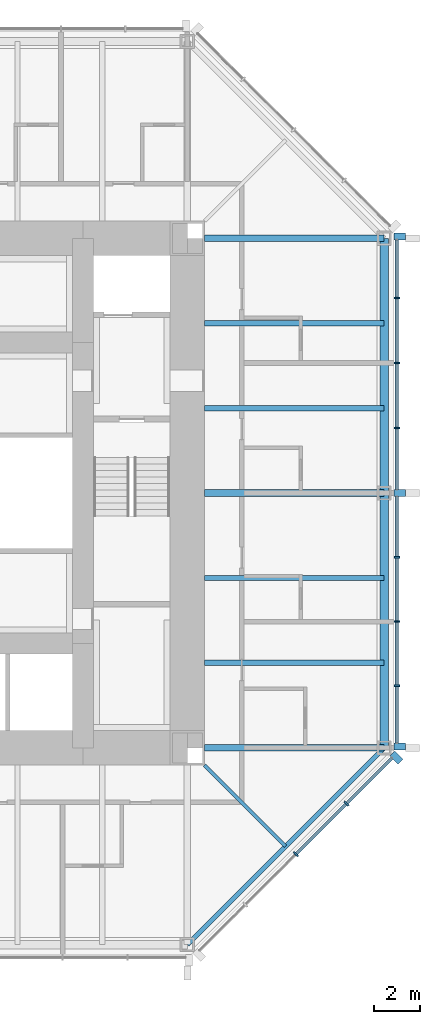
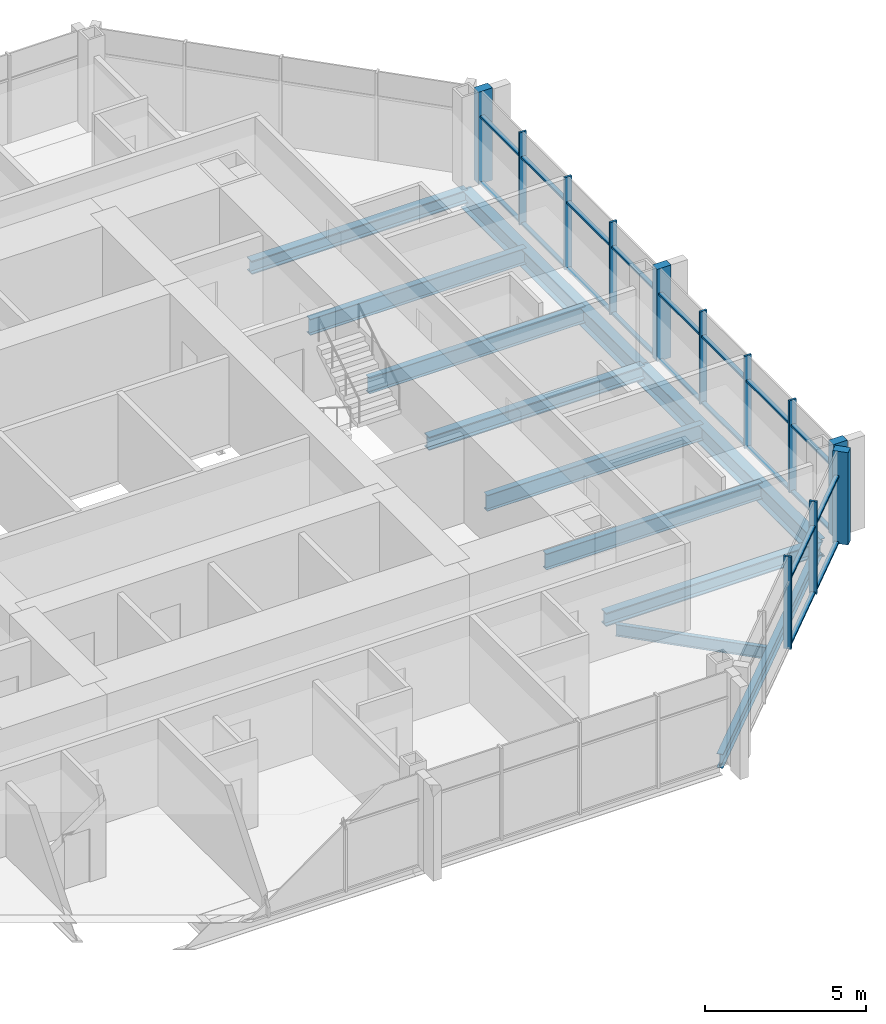
# One storey, part 4 of 12: 32 members, 11 beams, 2 elements without a shape of their own.
"""IFC4 building model written with IfcOpenShell, lengths in metres."""

from ifc_helpers import new_model, si_unit, direction, frame, origin, origin_2d, place, context, subcontext, project, spatial, rectangle, i_section, extrude, material, material_profile, profile_set, type_object, element, aggregate, save


model = new_model("IFC4")

# Units and contexts
model_context = context("Model", 3, precision=1e-05, world=origin(), true_north=direction((0.0, 1.0)))
body_context = subcontext(model_context, "Body", "Model", "MODEL_VIEW")
ifc_project = project(units=[si_unit("LENGTHUNIT", "METRE"), si_unit("AREAUNIT", "SQUARE_METRE"), si_unit("VOLUMEUNIT", "CUBIC_METRE"), si_unit("PLANEANGLEUNIT", "RADIAN"), si_unit("MASSUNIT", "GRAM", prefix="KILO")], contexts=[model_context])

# Site, building, storey
site_placement = place(None, origin())
site = spatial("IfcSite", under=ifc_project, at=site_placement, CompositionType="ELEMENT")
building_placement = place(site_placement, origin())
building = spatial("IfcBuilding", under=site, at=building_placement, Name="Trevanion Tower", CompositionType="ELEMENT")
storey_placement = place(building_placement, frame((0.0, 0.0, 197.699951171875)))
storey = spatial("IfcBuildingStorey", under=building, at=storey_placement, Name="L46", CompositionType="ELEMENT", Elevation=197.699951171875)

# Beams
ifc_material_1 = material(Name="Steel ASTM A992 Grade 50", Category="steel")
ifc_material_profile_1 = material_profile(ifc_material_1, i_section(OverallWidth=0.228271484375, OverallDepth=0.607177734375, WebThickness=0.01123046875, FlangeThickness=0.017333984375, at=origin_2d()), Name="W24X76")
ifc_profile_set_1 = profile_set([ifc_material_profile_1], Name="Steel ASTM A992 Grade 50")
beam_type_1 = type_object("IfcBeamType", Name="B11 W24X76", PredefinedType="BEAM", material=ifc_profile_set_1)
for number, where, z_axis, x_axis, name in (
    (1, (11.75, -7.333251953125, -0.493408203125), (1.0, 0.0, 0.0), (0.0, 1.0, 0.0), "B11 L46"),
    (2, (11.75, -3.666748046875, -0.493408203125), (1.0, 0.0, 0.0), (0.0, 1.0, 0.0), "B11 L46"),
    (3, (11.75, 3.666748046875, -0.493408203125), (1.0, 0.0, 0.0), (0.0, 1.0, 0.0), "B11 L46"),
    (4, (11.75, 7.333251953125, -0.493408203125), (1.0, 0.0, 0.0), (0.0, 1.0, 0.0), "B11 L46"),
):
    element("IfcBeam", number, at=place(storey_placement, frame(where, z_axis=z_axis, x_axis=x_axis)), inside=storey, type_object=beam_type_1, Name=name, PredefinedType="BEAM", context=body_context, shape_type="SweptSolid", body=[
        extrude(i_section(OverallWidth=0.228271484375, OverallDepth=0.607177734375, WebThickness=0.01123046875, FlangeThickness=0.017333984375, at=origin_2d()), origin(), (0.0, 0.0, 1.0), 7.75),
    ])
ifc_material_2 = material(Name="Steel ASTM A992 Grade 50", Category="steel")
ifc_material_profile_2 = material_profile(ifc_material_2, i_section(OverallWidth=0.15234375, OverallDepth=0.449462890625, WebThickness=0.007568359375, FlangeThickness=0.0107421875, at=origin_2d()), Name="W18X35")
ifc_profile_set_2 = profile_set([ifc_material_profile_2], Name="Steel ASTM A992 Grade 50")
beam_type_2 = type_object("IfcBeamType", Name="B12 W18X35", PredefinedType="BEAM", material=ifc_profile_set_2)
beam_1_placement = place(storey_placement, frame((11.75, -11.75, -0.414794921875), z_axis=(0.707106781187, -0.707106781187, 0.0), x_axis=(0.707106781187, 0.707106781187, 0.0)))
element("IfcBeam", 5, at=beam_1_placement, inside=storey, type_object=beam_type_2, Name="B12 L46", PredefinedType="BEAM", context=body_context, shape_type="SweptSolid", body=[
    extrude(i_section(OverallWidth=0.15234375, OverallDepth=0.449462890625, WebThickness=0.007568359375, FlangeThickness=0.0107421875, at=origin_2d()), origin(), (0.0, 0.0, 1.0), 4.94970703125),
])

# Curtain wall, members
ifc_material_3 = material(Name="Aluminium and glass", Category="aluminium")
curtain_wall_type = type_object("IfcCurtainWallType", Name="CW3 curtain wall", PredefinedType="USERDEFINED", material=ifc_material_3)
curtain_wall_1_placement = place(storey_placement, origin())
curtain_wall_1 = element("IfcCurtainWall", 6, at=curtain_wall_1_placement, inside=storey, type_object=curtain_wall_type, Name="CW3 L46 0", ObjectType="UNITISED CURTAIN WALL", PredefinedType="USERDEFINED")
ifc_material_4 = material(Name="Aluminium extrusion, anodised bronze", Category="aluminium")
ifc_material_profile_3 = material_profile(ifc_material_4, rectangle(XDim=0.074951171875, YDim=0.25, at=origin_2d()), Name="CW3 mullion")
ifc_profile_set_3 = profile_set([ifc_material_profile_3], Name="Aluminium extrusion, anodised bronze")
member_type_1 = type_object("IfcMemberType", Name="CW3 mullion", PredefinedType="MULLION", material=ifc_profile_set_3)
member_1_placement = place(storey_placement, frame((20.050048828125, -8.323486328125, -0.18994140625), z_axis=(0.0, 0.0, 1.0), x_axis=(0.0, 1.0, 0.0)))
member_1 = element("IfcMember", 7, at=member_1_placement, type_object=member_type_1, Name="CW3 mullion 2", PredefinedType="MULLION", context=body_context, shape_type="SweptSolid", body=[
    extrude(rectangle(XDim=0.074951171875, YDim=0.25, at=origin_2d()), origin(), (0.0, 0.0, 1.0), 3.5),
])
member_2_placement = place(storey_placement, frame((20.050048828125, -5.548828125, -0.18994140625), z_axis=(0.0, 0.0, 1.0), x_axis=(0.0, 1.0, 0.0)))
member_2 = element("IfcMember", 8, at=member_2_placement, type_object=member_type_1, Name="CW3 mullion 3", PredefinedType="MULLION", context=body_context, shape_type="SweptSolid", body=[
    extrude(rectangle(XDim=0.074951171875, YDim=0.25, at=origin_2d()), origin(), (0.0, 0.0, 1.0), 3.5),
])
member_3_placement = place(storey_placement, frame((20.050048828125, -2.7744140625, -0.18994140625), z_axis=(0.0, 0.0, 1.0), x_axis=(0.0, 1.0, 0.0)))
member_3 = element("IfcMember", 9, at=member_3_placement, type_object=member_type_1, Name="CW3 mullion 4", PredefinedType="MULLION", context=body_context, shape_type="SweptSolid", body=[
    extrude(rectangle(XDim=0.074951171875, YDim=0.25, at=origin_2d()), origin(), (0.0, 0.0, 1.0), 3.5),
])
member_4_placement = place(storey_placement, frame((20.050048828125, 2.806884765625, -0.18994140625), z_axis=(0.0, 0.0, 1.0), x_axis=(0.0, 1.0, 0.0)))
member_4 = element("IfcMember", 10, at=member_4_placement, type_object=member_type_1, Name="CW3 mullion 6", PredefinedType="MULLION", context=body_context, shape_type="SweptSolid", body=[
    extrude(rectangle(XDim=0.074951171875, YDim=0.25, at=origin_2d()), origin(), (0.0, 0.0, 1.0), 3.5),
])
member_5_placement = place(storey_placement, frame((20.050048828125, 5.614013671875, -0.18994140625), z_axis=(0.0, 0.0, 1.0), x_axis=(0.0, 1.0, 0.0)))
member_5 = element("IfcMember", 11, at=member_5_placement, type_object=member_type_1, Name="CW3 mullion 7", PredefinedType="MULLION", context=body_context, shape_type="SweptSolid", body=[
    extrude(rectangle(XDim=0.074951171875, YDim=0.25, at=origin_2d()), origin(), (0.0, 0.0, 1.0), 3.5),
])
member_6_placement = place(storey_placement, frame((20.050048828125, 8.4208984375, -0.18994140625), z_axis=(0.0, 0.0, 1.0), x_axis=(0.0, 1.0, 0.0)))
member_6 = element("IfcMember", 12, at=member_6_placement, type_object=member_type_1, Name="CW3 mullion 8", PredefinedType="MULLION", context=body_context, shape_type="SweptSolid", body=[
    extrude(rectangle(XDim=0.074951171875, YDim=0.25, at=origin_2d()), origin(), (0.0, 0.0, 1.0), 3.5),
])

curtain_wall_2_placement = place(storey_placement, origin())
curtain_wall_2 = element("IfcCurtainWall", 13, at=curtain_wall_2_placement, inside=storey, type_object=curtain_wall_type, Name="CW3 L46 7", ObjectType="UNITISED CURTAIN WALL", PredefinedType="USERDEFINED")
member_7_placement = place(storey_placement, frame((15.684814453125, -15.593017578125, -0.18994140625), z_axis=(0.0, 0.0, 1.0), x_axis=(0.707106781187, 0.707106781187, 0.0)))
member_7 = element("IfcMember", 14, at=member_7_placement, type_object=member_type_1, Name="CW3 mullion 3", PredefinedType="MULLION", context=body_context, shape_type="SweptSolid", body=[
    extrude(rectangle(XDim=0.074951171875, YDim=0.25, at=origin_2d()), origin(), (0.0, 0.0, 1.0), 3.5),
])
member_8_placement = place(storey_placement, frame((17.867431640625, -13.410400390625, -0.18994140625), z_axis=(0.0, 0.0, 1.0), x_axis=(0.707106781187, 0.707106781187, 0.0)))
member_8 = element("IfcMember", 15, at=member_8_placement, type_object=member_type_1, Name="CW3 mullion 4", PredefinedType="MULLION", context=body_context, shape_type="SweptSolid", body=[
    extrude(rectangle(XDim=0.074951171875, YDim=0.25, at=origin_2d()), origin(), (0.0, 0.0, 1.0), 3.5),
])

# Member
ifc_material_5 = material(Name="Aluminium extrusion, anodised bronze", Category="aluminium")
ifc_material_profile_4 = material_profile(ifc_material_5, rectangle(XDim=0.300048828125, YDim=0.5, at=origin_2d()), Name="CW3 pier mullion")
ifc_profile_set_4 = profile_set([ifc_material_profile_4], Name="Aluminium extrusion, anodised bronze")
member_type_2 = type_object("IfcMemberType", Name="CW3 pier mullion", PredefinedType="MULLION", material=ifc_profile_set_4)
member_9_placement = place(storey_placement, frame((20.175048828125, -10.94775390625, -0.18994140625), z_axis=(0.0, 0.0, 1.0), x_axis=(0.0, 1.0, 0.0)))
member_9 = element("IfcMember", 16, at=member_9_placement, type_object=member_type_2, Name="CW3 pier mullion 1", PredefinedType="MULLION", context=body_context, shape_type="SweptSolid", body=[
    extrude(rectangle(XDim=0.300048828125, YDim=0.5, at=origin_2d()), origin(), (0.0, 0.0, 1.0), 3.5),
])

member_10_placement = place(storey_placement, frame((20.175048828125, 0.0, -0.18994140625), z_axis=(0.0, 0.0, 1.0), x_axis=(0.0, 1.0, 0.0)))
member_10 = element("IfcMember", 17, at=member_10_placement, type_object=member_type_2, Name="CW3 pier mullion 5", PredefinedType="MULLION", context=body_context, shape_type="SweptSolid", body=[
    extrude(rectangle(XDim=0.300048828125, YDim=0.5, at=origin_2d()), origin(), (0.0, 0.0, 1.0), 3.5),
])

member_11_placement = place(storey_placement, frame((20.175048828125, 11.077880859375, -0.18994140625), z_axis=(0.0, 0.0, 1.0), x_axis=(0.0, 1.0, 0.0)))
member_11 = element("IfcMember", 18, at=member_11_placement, type_object=member_type_2, Name="CW3 pier mullion 9", PredefinedType="MULLION", context=body_context, shape_type="SweptSolid", body=[
    extrude(rectangle(XDim=0.300048828125, YDim=0.5, at=origin_2d()), origin(), (0.0, 0.0, 1.0), 3.5),
])

member_12_placement = place(storey_placement, frame((20.0322265625, -11.42236328125, -0.18994140625), z_axis=(0.0, 0.0, 1.0), x_axis=(0.707106781187, 0.707106781187, 0.0)))
member_12 = element("IfcMember", 19, at=member_12_placement, type_object=member_type_2, Name="CW3 pier mullion 5", PredefinedType="MULLION", context=body_context, shape_type="SweptSolid", body=[
    extrude(rectangle(XDim=0.300048828125, YDim=0.5, at=origin_2d()), origin(), (0.0, 0.0, 1.0), 3.5),
])

ifc_material_6 = material(Name="Aluminium extrusion, anodised bronze", Category="aluminium")
ifc_material_profile_5 = material_profile(ifc_material_6, rectangle(XDim=0.14990234375, YDim=0.074951171875, at=origin_2d()), Name="CW3 transom")
ifc_profile_set_5 = profile_set([ifc_material_profile_5], Name="Aluminium extrusion, anodised bronze")
member_type_3 = type_object("IfcMemberType", Name="CW3 transom", PredefinedType="USERDEFINED", material=ifc_profile_set_5)
member_13_placement = place(storey_placement, frame((20.050048828125, -10.7978515625, -0.15234375), z_axis=(0.0, 1.0, 0.0), x_axis=(-1.0, 0.0, 0.0)))
member_13 = element("IfcMember", 20, at=member_13_placement, type_object=member_type_3, Name="CW3 transom 1.1", ObjectType="TRANSOM", PredefinedType="USERDEFINED", context=body_context, shape_type="SweptSolid", body=[
    extrude(rectangle(XDim=0.14990234375, YDim=0.074951171875, at=origin_2d()), origin(), (0.0, 0.0, 1.0), 2.43701171875),
])

member_14_placement = place(storey_placement, frame((20.050048828125, -10.7978515625, 2.360107421875), z_axis=(0.0, 1.0, 0.0), x_axis=(-1.0, 0.0, 0.0)))
member_14 = element("IfcMember", 21, at=member_14_placement, type_object=member_type_3, Name="CW3 transom 1.2", ObjectType="TRANSOM", PredefinedType="USERDEFINED", context=body_context, shape_type="SweptSolid", body=[
    extrude(rectangle(XDim=0.14990234375, YDim=0.074951171875, at=origin_2d()), origin(), (0.0, 0.0, 1.0), 2.43701171875),
])

member_15_placement = place(storey_placement, frame((20.050048828125, -8.285888671875, -0.15234375), z_axis=(0.0, 1.0, 0.0), x_axis=(-1.0, 0.0, 0.0)))
member_15 = element("IfcMember", 22, at=member_15_placement, type_object=member_type_3, Name="CW3 transom 2.1", ObjectType="TRANSOM", PredefinedType="USERDEFINED", context=body_context, shape_type="SweptSolid", body=[
    extrude(rectangle(XDim=0.14990234375, YDim=0.074951171875, at=origin_2d()), origin(), (0.0, 0.0, 1.0), 2.699462890625),
])

member_16_placement = place(storey_placement, frame((20.050048828125, -8.285888671875, 2.360107421875), z_axis=(0.0, 1.0, 0.0), x_axis=(-1.0, 0.0, 0.0)))
member_16 = element("IfcMember", 23, at=member_16_placement, type_object=member_type_3, Name="CW3 transom 2.2", ObjectType="TRANSOM", PredefinedType="USERDEFINED", context=body_context, shape_type="SweptSolid", body=[
    extrude(rectangle(XDim=0.14990234375, YDim=0.074951171875, at=origin_2d()), origin(), (0.0, 0.0, 1.0), 2.699462890625),
])

member_17_placement = place(storey_placement, frame((20.050048828125, -5.511474609375, -0.15234375), z_axis=(0.0, 1.0, 0.0), x_axis=(-1.0, 0.0, 0.0)))
member_17 = element("IfcMember", 24, at=member_17_placement, type_object=member_type_3, Name="CW3 transom 3.1", ObjectType="TRANSOM", PredefinedType="USERDEFINED", context=body_context, shape_type="SweptSolid", body=[
    extrude(rectangle(XDim=0.14990234375, YDim=0.074951171875, at=origin_2d()), origin(), (0.0, 0.0, 1.0), 2.699462890625),
])

member_18_placement = place(storey_placement, frame((20.050048828125, -5.511474609375, 2.360107421875), z_axis=(0.0, 1.0, 0.0), x_axis=(-1.0, 0.0, 0.0)))
member_18 = element("IfcMember", 25, at=member_18_placement, type_object=member_type_3, Name="CW3 transom 3.2", ObjectType="TRANSOM", PredefinedType="USERDEFINED", context=body_context, shape_type="SweptSolid", body=[
    extrude(rectangle(XDim=0.14990234375, YDim=0.074951171875, at=origin_2d()), origin(), (0.0, 0.0, 1.0), 2.699462890625),
])

member_19_placement = place(storey_placement, frame((20.050048828125, -2.737060546875, -0.15234375), z_axis=(0.0, 1.0, 0.0), x_axis=(-1.0, 0.0, 0.0)))
member_19 = element("IfcMember", 26, at=member_19_placement, type_object=member_type_3, Name="CW3 transom 4.1", ObjectType="TRANSOM", PredefinedType="USERDEFINED", context=body_context, shape_type="SweptSolid", body=[
    extrude(rectangle(XDim=0.14990234375, YDim=0.074951171875, at=origin_2d()), origin(), (0.0, 0.0, 1.0), 2.587158203125),
])

member_20_placement = place(storey_placement, frame((20.050048828125, -2.737060546875, 2.360107421875), z_axis=(0.0, 1.0, 0.0), x_axis=(-1.0, 0.0, 0.0)))
member_20 = element("IfcMember", 27, at=member_20_placement, type_object=member_type_3, Name="CW3 transom 4.2", ObjectType="TRANSOM", PredefinedType="USERDEFINED", context=body_context, shape_type="SweptSolid", body=[
    extrude(rectangle(XDim=0.14990234375, YDim=0.074951171875, at=origin_2d()), origin(), (0.0, 0.0, 1.0), 2.587158203125),
])

member_21_placement = place(storey_placement, frame((20.050048828125, 0.14990234375, -0.15234375), z_axis=(0.0, 1.0, 0.0), x_axis=(-1.0, 0.0, 0.0)))
member_21 = element("IfcMember", 28, at=member_21_placement, type_object=member_type_3, Name="CW3 transom 5.1", ObjectType="TRANSOM", PredefinedType="USERDEFINED", context=body_context, shape_type="SweptSolid", body=[
    extrude(rectangle(XDim=0.14990234375, YDim=0.074951171875, at=origin_2d()), origin(), (0.0, 0.0, 1.0), 2.619384765625),
])

member_22_placement = place(storey_placement, frame((20.050048828125, 0.14990234375, 2.360107421875), z_axis=(0.0, 1.0, 0.0), x_axis=(-1.0, 0.0, 0.0)))
member_22 = element("IfcMember", 29, at=member_22_placement, type_object=member_type_3, Name="CW3 transom 5.2", ObjectType="TRANSOM", PredefinedType="USERDEFINED", context=body_context, shape_type="SweptSolid", body=[
    extrude(rectangle(XDim=0.14990234375, YDim=0.074951171875, at=origin_2d()), origin(), (0.0, 0.0, 1.0), 2.619384765625),
])

member_23_placement = place(storey_placement, frame((20.050048828125, 2.844482421875, -0.15234375), z_axis=(0.0, 1.0, 0.0), x_axis=(-1.0, 0.0, 0.0)))
member_23 = element("IfcMember", 30, at=member_23_placement, type_object=member_type_3, Name="CW3 transom 6.1", ObjectType="TRANSOM", PredefinedType="USERDEFINED", context=body_context, shape_type="SweptSolid", body=[
    extrude(rectangle(XDim=0.14990234375, YDim=0.074951171875, at=origin_2d()), origin(), (0.0, 0.0, 1.0), 2.73193359375),
])

member_24_placement = place(storey_placement, frame((20.050048828125, 2.844482421875, 2.360107421875), z_axis=(0.0, 1.0, 0.0), x_axis=(-1.0, 0.0, 0.0)))
member_24 = element("IfcMember", 31, at=member_24_placement, type_object=member_type_3, Name="CW3 transom 6.2", ObjectType="TRANSOM", PredefinedType="USERDEFINED", context=body_context, shape_type="SweptSolid", body=[
    extrude(rectangle(XDim=0.14990234375, YDim=0.074951171875, at=origin_2d()), origin(), (0.0, 0.0, 1.0), 2.73193359375),
])

member_25_placement = place(storey_placement, frame((20.050048828125, 5.6513671875, -0.15234375), z_axis=(0.0, 1.0, 0.0), x_axis=(-1.0, 0.0, 0.0)))
member_25 = element("IfcMember", 32, at=member_25_placement, type_object=member_type_3, Name="CW3 transom 7.1", ObjectType="TRANSOM", PredefinedType="USERDEFINED", context=body_context, shape_type="SweptSolid", body=[
    extrude(rectangle(XDim=0.14990234375, YDim=0.074951171875, at=origin_2d()), origin(), (0.0, 0.0, 1.0), 2.73193359375),
])

member_26_placement = place(storey_placement, frame((20.050048828125, 5.6513671875, 2.360107421875), z_axis=(0.0, 1.0, 0.0), x_axis=(-1.0, 0.0, 0.0)))
member_26 = element("IfcMember", 33, at=member_26_placement, type_object=member_type_3, Name="CW3 transom 7.2", ObjectType="TRANSOM", PredefinedType="USERDEFINED", context=body_context, shape_type="SweptSolid", body=[
    extrude(rectangle(XDim=0.14990234375, YDim=0.074951171875, at=origin_2d()), origin(), (0.0, 0.0, 1.0), 2.73193359375),
])

member_27_placement = place(storey_placement, frame((20.050048828125, 8.45849609375, -0.15234375), z_axis=(0.0, 1.0, 0.0), x_axis=(-1.0, 0.0, 0.0)))
member_27 = element("IfcMember", 34, at=member_27_placement, type_object=member_type_3, Name="CW3 transom 8.1", ObjectType="TRANSOM", PredefinedType="USERDEFINED", context=body_context, shape_type="SweptSolid", body=[
    extrude(rectangle(XDim=0.14990234375, YDim=0.074951171875, at=origin_2d()), origin(), (0.0, 0.0, 1.0), 2.46923828125),
])

member_28_placement = place(storey_placement, frame((20.050048828125, 8.45849609375, 2.360107421875), z_axis=(0.0, 1.0, 0.0), x_axis=(-1.0, 0.0, 0.0)))
member_28 = element("IfcMember", 35, at=member_28_placement, type_object=member_type_3, Name="CW3 transom 8.2", ObjectType="TRANSOM", PredefinedType="USERDEFINED", context=body_context, shape_type="SweptSolid", body=[
    extrude(rectangle(XDim=0.14990234375, YDim=0.074951171875, at=origin_2d()), origin(), (0.0, 0.0, 1.0), 2.46923828125),
])

aggregate(curtain_wall_1, [member_9, member_1, member_2, member_3, member_10, member_4, member_5, member_6, member_11, member_13, member_14, member_15, member_16, member_17, member_18, member_19, member_20, member_21, member_22, member_23, member_24, member_25, member_26, member_27, member_28])

member_29_placement = place(storey_placement, frame((15.71142578125, -15.56640625, -0.15234375), z_axis=(0.707106781187, 0.707106781187, 0.0), x_axis=(-0.707106781187, 0.707106781187, 0.0)))
member_29 = element("IfcMember", 36, at=member_29_placement, type_object=member_type_3, Name="CW3 transom 3.1", ObjectType="TRANSOM", PredefinedType="USERDEFINED", context=body_context, shape_type="SweptSolid", body=[
    extrude(rectangle(XDim=0.14990234375, YDim=0.074951171875, at=origin_2d()), origin(), (0.0, 0.0, 1.0), 3.011474609375),
])

member_30_placement = place(storey_placement, frame((15.71142578125, -15.56640625, 2.360107421875), z_axis=(0.707106781187, 0.707106781187, 0.0), x_axis=(-0.707106781187, 0.707106781187, 0.0)))
member_30 = element("IfcMember", 37, at=member_30_placement, type_object=member_type_3, Name="CW3 transom 3.2", ObjectType="TRANSOM", PredefinedType="USERDEFINED", context=body_context, shape_type="SweptSolid", body=[
    extrude(rectangle(XDim=0.14990234375, YDim=0.074951171875, at=origin_2d()), origin(), (0.0, 0.0, 1.0), 3.011474609375),
])

member_31_placement = place(storey_placement, frame((17.89404296875, -13.3837890625, -0.15234375), z_axis=(0.707106781187, 0.707106781187, 0.0), x_axis=(-0.707106781187, 0.707106781187, 0.0)))
member_31 = element("IfcMember", 38, at=member_31_placement, type_object=member_type_3, Name="CW3 transom 4.1", ObjectType="TRANSOM", PredefinedType="USERDEFINED", context=body_context, shape_type="SweptSolid", body=[
    extrude(rectangle(XDim=0.14990234375, YDim=0.074951171875, at=origin_2d()), origin(), (0.0, 0.0, 1.0), 2.7490234375),
])

member_32_placement = place(storey_placement, frame((17.89404296875, -13.3837890625, 2.360107421875), z_axis=(0.707106781187, 0.707106781187, 0.0), x_axis=(-0.707106781187, 0.707106781187, 0.0)))
member_32 = element("IfcMember", 39, at=member_32_placement, type_object=member_type_3, Name="CW3 transom 4.2", ObjectType="TRANSOM", PredefinedType="USERDEFINED", context=body_context, shape_type="SweptSolid", body=[
    extrude(rectangle(XDim=0.14990234375, YDim=0.074951171875, at=origin_2d()), origin(), (0.0, 0.0, 1.0), 2.7490234375),
])

aggregate(curtain_wall_2, [member_7, member_8, member_12, member_29, member_30, member_31, member_32])

# Beams
ifc_material_7 = material(Name="Steel ASTM A992 Grade 50", Category="steel")
ifc_material_profile_6 = material_profile(ifc_material_7, i_section(OverallWidth=0.28955078125, OverallDepth=0.508056640625, WebThickness=0.022705078125, FlangeThickness=0.040283203125, at=origin_2d()), Name="W18X175")
ifc_profile_set_6 = profile_set([ifc_material_profile_6], Name="Steel ASTM A992 Grade 50")
beam_type_3 = type_object("IfcBeamType", Name="G6 W18X175", PredefinedType="BEAM", material=ifc_profile_set_6)
for number, where, z_axis, x_axis, name in (
    (40, (11.75, -11.0, -0.44384765625), (1.0, 0.0, 0.0), (0.0, 1.0, 0.0), "G6 L46"),
    (41, (11.75, 0.0, -0.44384765625), (1.0, 0.0, 0.0), (0.0, 1.0, 0.0), "G6 L46"),
    (42, (11.75, 11.0, -0.44384765625), (1.0, 0.0, 0.0), (0.0, 1.0, 0.0), "G6 L46"),
):
    element("IfcBeam", number, at=place(storey_placement, frame(where, z_axis=z_axis, x_axis=x_axis)), inside=storey, type_object=beam_type_3, Name=name, PredefinedType="BEAM", context=body_context, shape_type="SweptSolid", body=[
        extrude(i_section(OverallWidth=0.28955078125, OverallDepth=0.508056640625, WebThickness=0.022705078125, FlangeThickness=0.040283203125, at=origin_2d()), origin(), (0.0, 0.0, 1.0), 7.75),
    ])
ifc_material_8 = material(Name="Steel ASTM A992 Grade 50", Category="steel")
ifc_material_profile_7 = material_profile(ifc_material_8, i_section(OverallWidth=0.355712890625, OverallDepth=0.696044921875, WebThickness=0.015380859375, FlangeThickness=0.024658203125, at=origin_2d()), Name="W27X146")
ifc_profile_set_7 = profile_set([ifc_material_profile_7], Name="Steel ASTM A992 Grade 50")
beam_type_4 = type_object("IfcBeamType", Name="SB8 W27X146", PredefinedType="SPANDREL", material=ifc_profile_set_7)
for number, where, z_axis, x_axis, name in (
    (43, (19.5, -11.0, -0.537841796875), (0.0, 1.0, 0.0), (-1.0, 0.0, 0.0), "SB8 L46"),
    (44, (19.5, 0.0, -0.537841796875), (0.0, 1.0, 0.0), (-1.0, 0.0, 0.0), "SB8 L46"),
):
    element("IfcBeam", number, at=place(storey_placement, frame(where, z_axis=z_axis, x_axis=x_axis)), inside=storey, type_object=beam_type_4, Name=name, PredefinedType="SPANDREL", context=body_context, shape_type="SweptSolid", body=[
        extrude(i_section(OverallWidth=0.355712890625, OverallDepth=0.696044921875, WebThickness=0.015380859375, FlangeThickness=0.024658203125, at=origin_2d()), origin(), (0.0, 0.0, 1.0), 11.0),
    ])
ifc_material_9 = material(Name="Steel ASTM A992 Grade 50", Category="steel")
ifc_material_profile_8 = material_profile(ifc_material_9, i_section(OverallWidth=0.209228515625, OverallDepth=0.533447265625, WebThickness=0.01025390625, FlangeThickness=0.015625, at=origin_2d()), Name="W21X62")
ifc_profile_set_8 = profile_set([ifc_material_profile_8], Name="Steel ASTM A992 Grade 50")
beam_type_5 = type_object("IfcBeamType", Name="SB9 W21X62", PredefinedType="SPANDREL", material=ifc_profile_set_8)
beam_2_placement = place(storey_placement, frame((11.0, -19.5, -0.45654296875), z_axis=(0.707106781187, 0.707106781187, 0.0), x_axis=(-0.707106781187, 0.707106781187, 0.0)))
element("IfcBeam", 45, at=beam_2_placement, inside=storey, type_object=beam_type_5, Name="SB9 L46", PredefinedType="SPANDREL", context=body_context, shape_type="SweptSolid", body=[
    extrude(i_section(OverallWidth=0.209228515625, OverallDepth=0.533447265625, WebThickness=0.01025390625, FlangeThickness=0.015625, at=origin_2d()), origin(), (0.0, 0.0, 1.0), 12.020751953125),
])

save(model, "model.ifc")
